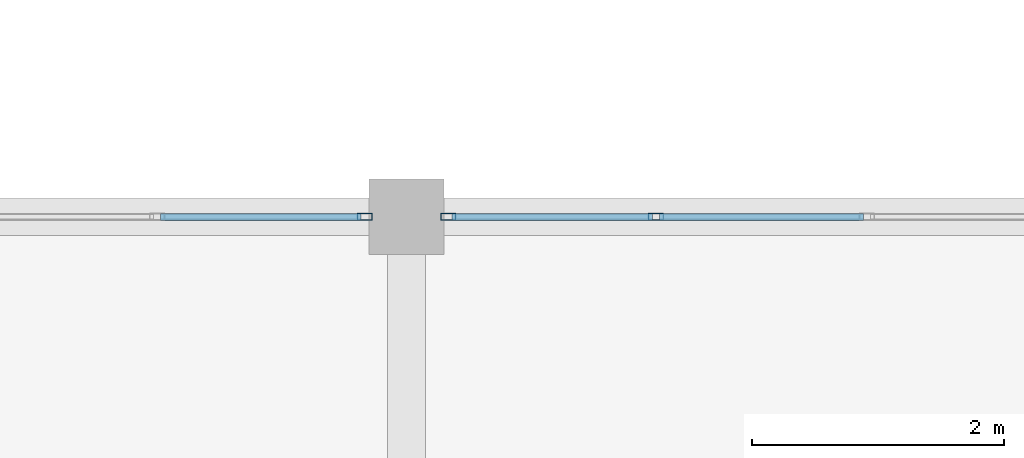
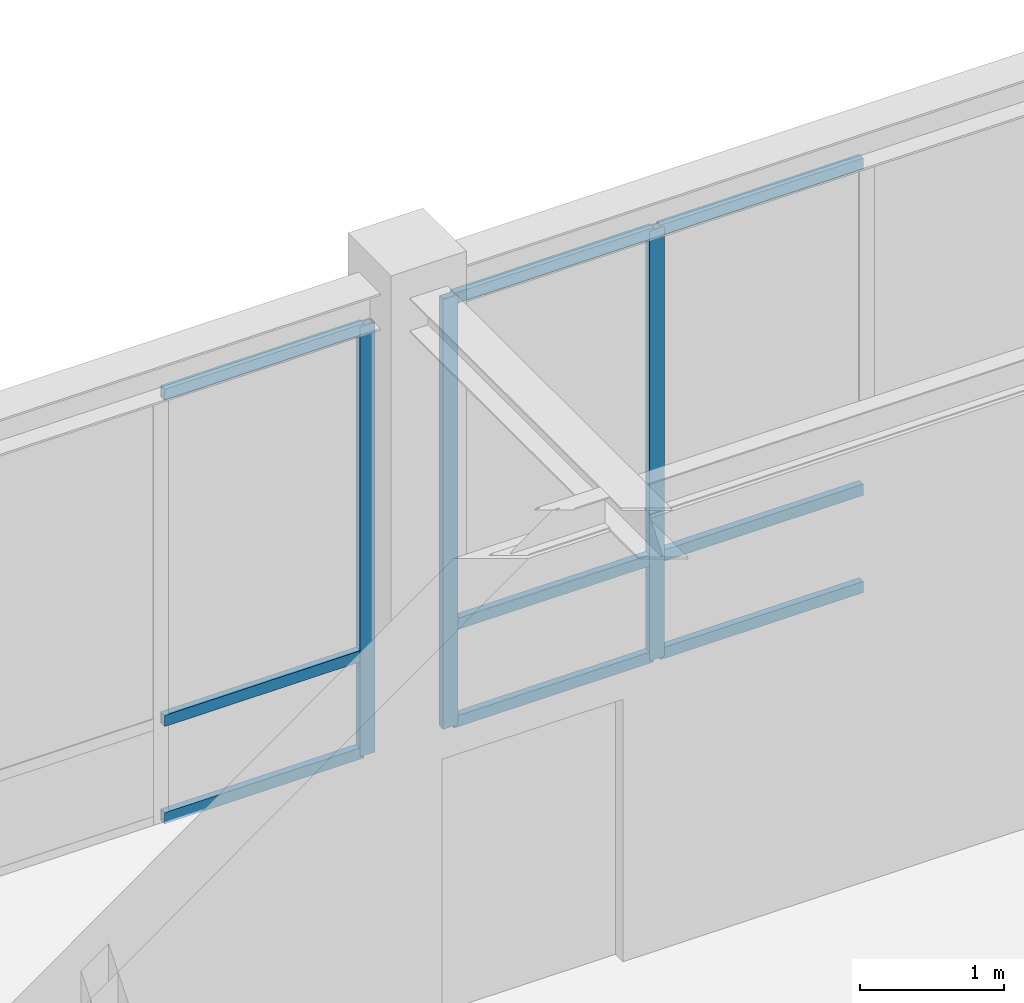
# One storey, part 47 of 130: 12 members, 2 elements without a shape of their own.
"""IFC4 building model written with IfcOpenShell, lengths in metres."""

import ifcopenshell
import ifcopenshell.guid

model = None  # the IFC model being written
_history = None  # IfcOwnerHistory: only IFC2X3 demands one
_inside = {}  # id of a spatial element -> (the spatial element, [elements in it])
_under = {}  # id of a project, library or spatial element -> (it, [spatial elements below it])
_declared = {}  # id of a project -> (the project, [libraries it declares])
_typed = {}  # id of a type object -> (the type object, [elements of that type])
_made_of = {}  # id of a material, layer set ... -> (it, [elements and type objects made of it])


def new_model(schema):
    """Start an empty IFC model of exactly this schema.

    Asked for "IFC4X3", IfcOpenShell would pick the latest addendum, in which some entities
    have other attributes; the version numbers below select the first issue.
    IFC2X3 requires an IfcOwnerHistory on every rooted entity: one is made here for all.
    """
    global model, _history
    if schema == "IFC4X3":
        model = ifcopenshell.file(schema_version=(4, 3, 0, 0))
    else:
        model = ifcopenshell.file(schema=schema)
    _inside.clear()
    _under.clear()
    _declared.clear()
    _typed.clear()
    _made_of.clear()
    _history = None
    if model.schema == "IFC2X3":
        org = make("IfcOrganization", Name="unknown")
        user = make(
            "IfcPersonAndOrganization",
            ThePerson=make("IfcPerson", FamilyName="unknown"),
            TheOrganization=org,
        )
        app = make(
            "IfcApplication",
            ApplicationDeveloper=org,
            Version="unknown",
            ApplicationFullName="unknown",
            ApplicationIdentifier="unknown",
        )
        _history = make(
            "IfcOwnerHistory",
            OwningUser=user,
            OwningApplication=app,
            ChangeAction="ADDED",
            CreationDate=0,
        )
    return model


def make(cls, **values):
    """One entity of the class cls with the attributes given. An attribute that is None is left unset."""
    return model.create_entity(
        cls, **{name: value for name, value in values.items() if value is not None}
    )


def rooted(cls, **values):
    """An entity with a GlobalId (a new one), such as an element, a storey or a relation."""
    return make(cls, GlobalId=ifcopenshell.guid.new(), OwnerHistory=_history, **values)


def si_unit(unit_type, name, prefix=None):
    """IfcSIUnit, for example si_unit("LENGTHUNIT", "METRE", prefix="MILLI")."""
    return make("IfcSIUnit", UnitType=unit_type, Prefix=prefix, Name=name)


def assignment(units):
    """IfcUnitAssignment: the units of a project."""
    return None if units is None else make("IfcUnitAssignment", Units=units)


def point(xyz):
    """IfcCartesianPoint."""
    return None if xyz is None else make("IfcCartesianPoint", Coordinates=xyz)


def direction(xyz):
    """IfcDirection."""
    return None if xyz is None else make("IfcDirection", DirectionRatios=xyz)


def frame(location, z_axis=None, x_axis=None):
    """IfcAxis2Placement3D, a coordinate frame: its origin and axes. An axis left out is left unset."""
    return make(
        "IfcAxis2Placement3D",
        Location=point(location),
        Axis=direction(z_axis),
        RefDirection=direction(x_axis),
    )


def frame_2d(location, x_axis=None):
    """IfcAxis2Placement2D, a coordinate frame in the plane: its origin and x axis."""
    return make(
        "IfcAxis2Placement2D", Location=point(location), RefDirection=direction(x_axis)
    )


def origin():
    """The frame at (0, 0, 0) with its axes left unset."""
    return frame((0.0, 0.0, 0.0))


def origin_2d():
    """The frame at (0, 0) in the plane with its x axis left unset."""
    return frame_2d((0.0, 0.0))


def place(relative_to, where):
    """IfcLocalPlacement: puts the frame where relative to a parent placement (None: the world)."""
    return make(
        "IfcLocalPlacement", PlacementRelTo=relative_to, RelativePlacement=where
    )


def context(
    kind, dimensions, precision=None, world=None, true_north=None, identifier=None
):
    """IfcGeometricRepresentationContext, for example the 3D "Model" context."""
    return make(
        "IfcGeometricRepresentationContext",
        ContextIdentifier=identifier,
        ContextType=kind,
        CoordinateSpaceDimension=dimensions,
        Precision=precision,
        WorldCoordinateSystem=world,
        TrueNorth=true_north,
    )


def subcontext(parent, identifier, kind, view, scale=None):
    """IfcGeometricRepresentationSubContext, for example "Body" below "Model"."""
    return make(
        "IfcGeometricRepresentationSubContext",
        ContextIdentifier=identifier,
        ContextType=kind,
        ParentContext=parent,
        TargetScale=scale,
        TargetView=view,
    )


def project(units=None, contexts=None):
    """IfcProject with its units and contexts."""
    return rooted(
        "IfcProject",
        Name="project",
        RepresentationContexts=contexts,
        UnitsInContext=assignment(units),
    )


def spatial(cls, under=None, at=None, **own):
    """A site, building, storey or space (cls), placed at a placement, below another one or the project."""
    s = rooted(cls, ObjectPlacement=at, **own)
    if under is not None:
        _under.setdefault(under.id(), (under, []))[1].append(s)
    return s


def profile(cls, at=None, kind="AREA", **sizes):
    """A parametric profile (cls). Its sizes go by their IFC names, for example OverallWidth=200.0."""
    return make(cls, ProfileType=kind, Position=at, **sizes)


def hollow_rectangle(**sizes):
    """IfcRectangleHollowProfileDef."""
    return profile("IfcRectangleHollowProfileDef", **sizes)


def extrude(swept, where, along, depth):
    """IfcExtrudedAreaSolid: the profile swept, set in the frame where, extruded along a direction by depth."""
    return make(
        "IfcExtrudedAreaSolid",
        SweptArea=swept,
        Position=where,
        ExtrudedDirection=direction(along),
        Depth=depth,
    )


def shape(context_of_items, identifier, shape_type, items):
    """IfcShapeRepresentation: the items that make up one representation, for example the "Body"."""
    return make(
        "IfcShapeRepresentation",
        ContextOfItems=context_of_items,
        RepresentationIdentifier=identifier,
        RepresentationType=shape_type,
        Items=items,
    )


def material(Name=None, Category=None):
    """IfcMaterial."""
    return make("IfcMaterial", Name=Name, Category=Category)


def material_profile(
    of_material, cross_section, Name=None, Category=None, Priority=None
):
    """IfcMaterialProfile: a cross section and its material."""
    return make(
        "IfcMaterialProfile",
        Name=Name,
        Material=of_material,
        Profile=cross_section,
        Priority=Priority,
        Category=Category,
    )


def profile_set(profiles, Name=None, composite=None):
    """IfcMaterialProfileSet."""
    return make(
        "IfcMaterialProfileSet",
        Name=Name,
        MaterialProfiles=profiles,
        CompositeProfile=composite,
    )


def made_of(thing, what):
    """Note that an element or type object is made of a material, layer set ...; save() writes the relation."""
    if what is not None:
        _made_of.setdefault(what.id(), (what, []))[1].append(thing)
    return thing


def type_object(cls, material=None, **own):
    """A type object (cls), such as IfcWallType, which elements share."""
    return made_of(rooted(cls, **own), material)


def element(
    cls,
    number,
    at=None,
    inside=None,
    cuts=None,
    type_object=None,
    material=None,
    context=None,
    identifier="Body",
    shape_type=None,
    held_by="IfcProductDefinitionShape",
    body=None,
    shapes=None,
    **own,
):
    """One element of the class cls, such as IfcWall. Its Tag is "e" and its number.

    at: its placement. inside: the storey or other place that contains it. cuts: it is an
    opening in that element (IfcRelVoidsElement). A single representation is given by context,
    identifier, shape_type and body (its items); several are given by shapes. held_by: the class
    of the entity that holds the representations. save() writes the other relations.
    """
    e = rooted(cls, Tag="e%d" % number, ObjectPlacement=at, **own)
    if body is not None:
        shapes = [shape(context, identifier, shape_type, body)]
    if shapes is not None:
        e.Representation = make(held_by, Representations=shapes)
    if inside is not None:
        _inside.setdefault(inside.id(), (inside, []))[1].append(e)
    if cuts is not None:
        rooted(
            "IfcRelVoidsElement", RelatingBuildingElement=cuts, RelatedOpeningElement=e
        )
    if type_object is not None:
        _typed.setdefault(type_object.id(), (type_object, []))[1].append(e)
    return made_of(e, material)


def aggregate(whole, parts):
    """IfcRelAggregates: a whole, such as a stair, and the parts it consists of."""
    return rooted("IfcRelAggregates", RelatingObject=whole, RelatedObjects=parts)


def save(model, path):
    """Write the relations noted so far, then the file.

    IfcRelAggregates (storeys below a building ...), IfcRelContainedInSpatialStructure (elements
    in a storey), IfcRelDefinesByType, IfcRelAssociatesMaterial and IfcRelDeclares: one each for
    every whole, place, type object, material and project.
    """
    for whole, parts in _under.values():
        aggregate(whole, parts)
    for where, things in _inside.values():
        rooted(
            "IfcRelContainedInSpatialStructure",
            RelatedElements=things,
            RelatingStructure=where,
        )
    for kind, things in _typed.values():
        rooted("IfcRelDefinesByType", RelatedObjects=things, RelatingType=kind)
    for what, things in _made_of.values():
        rooted("IfcRelAssociatesMaterial", RelatedObjects=things, RelatingMaterial=what)
    for by, libraries in _declared.values():
        rooted("IfcRelDeclares", RelatingContext=by, RelatedDefinitions=libraries)
    model.write(path)


model = new_model("IFC4")

# Units and contexts
model_context = context("Model", 3, precision=1e-05, world=origin(), true_north=direction((0.0, 1.0)))
body_context = subcontext(model_context, "Body", "Model", "MODEL_VIEW")
ifc_project = project(units=[si_unit("LENGTHUNIT", "METRE"), si_unit("AREAUNIT", "SQUARE_METRE"), si_unit("VOLUMEUNIT", "CUBIC_METRE"), si_unit("PLANEANGLEUNIT", "RADIAN"), si_unit("MASSUNIT", "GRAM", prefix="KILO")], contexts=[model_context])

# Site, building, storey
site_placement = place(None, origin())
site = spatial("IfcSite", under=ifc_project, at=site_placement, CompositionType="ELEMENT")
building_placement = place(site_placement, origin())
building = spatial("IfcBuilding", under=site, at=building_placement, Name="Lykobir Media Centre", CompositionType="ELEMENT")
storey_placement = place(building_placement, frame((0.0, 0.0, 19.199951171875)))
storey = spatial("IfcBuildingStorey", under=building, at=storey_placement, Name="L04", CompositionType="ELEMENT", Elevation=19.199951171875)

# Curtain wall, member
ifc_material = material(Name="Anodized Aluminium AW-6060", Category="aluminium")
curtain_wall_type = type_object("IfcCurtainWallType", Name="CW-COURT-B", PredefinedType="NOTDEFINED", material=ifc_material)
curtain_wall_1_placement = place(storey_placement, origin())
curtain_wall_1 = element("IfcCurtainWall", 1, at=curtain_wall_1_placement, inside=storey, type_object=curtain_wall_type, Name="Curtain wall CW2-L04-0169", PredefinedType="NOTDEFINED")
ifc_material_profile_1 = material_profile(ifc_material, hollow_rectangle(XDim=0.054931640625, YDim=0.1201171875, WallThickness=0.003173828125, at=origin_2d()), Name="ALU MULLION 55x120")
ifc_profile_set_1 = profile_set([ifc_material_profile_1], Name="Anodized Aluminium AW-6060")
member_type_1 = type_object("IfcMemberType", Name="CWM-120", PredefinedType="MULLION", material=ifc_profile_set_1)
member_1_placement = place(storey_placement, frame((107.66748046875, 18.0, 0.0), z_axis=(0.0, 0.0, 1.0), x_axis=(0.0, 1.0, 0.0)))
member_1 = element("IfcMember", 2, at=member_1_placement, type_object=member_type_1, Name="CW2-L04-0169 mullion 6", PredefinedType="MULLION", context=body_context, shape_type="SweptSolid", body=[
    extrude(hollow_rectangle(XDim=0.054931640625, YDim=0.1201171875, WallThickness=0.003173828125, at=origin_2d()), origin(), (0.0, 0.0, 1.0), 3.635009765625),
])

# Curtain wall, members
curtain_wall_2_placement = place(storey_placement, origin())
curtain_wall_2 = element("IfcCurtainWall", 3, at=curtain_wall_2_placement, inside=storey, type_object=curtain_wall_type, Name="Curtain wall CW2-L04-0170", PredefinedType="NOTDEFINED")
member_2_placement = place(storey_placement, frame((108.33251953125, 18.0, 0.0), z_axis=(0.0, 0.0, 1.0), x_axis=(0.0, 1.0, 0.0)))
member_2 = element("IfcMember", 4, at=member_2_placement, type_object=member_type_1, Name="CW2-L04-0170 mullion 1", PredefinedType="MULLION", context=body_context, shape_type="SweptSolid", body=[
    extrude(hollow_rectangle(XDim=0.054931640625, YDim=0.1201171875, WallThickness=0.003173828125, at=origin_2d()), origin(), (0.0, 0.0, 1.0), 3.635009765625),
])
member_3_placement = place(storey_placement, frame((109.98291015625, 18.0, 0.0), z_axis=(0.0, 0.0, 1.0), x_axis=(0.0, 1.0, 0.0)))
member_3 = element("IfcMember", 5, at=member_3_placement, type_object=member_type_1, Name="CW2-L04-0170 mullion 2", PredefinedType="MULLION", context=body_context, shape_type="SweptSolid", body=[
    extrude(hollow_rectangle(XDim=0.054931640625, YDim=0.1201171875, WallThickness=0.003173828125, at=origin_2d()), origin(), (0.0, 0.0, 1.0), 3.635009765625),
])

# Member
ifc_material_profile_2 = material_profile(ifc_material, hollow_rectangle(XDim=0.054931640625, YDim=0.094970703125, WallThickness=0.0029296875, at=origin_2d()), Name="ALU TRANSOM 55x95")
ifc_profile_set_2 = profile_set([ifc_material_profile_2], Name="Anodized Aluminium AW-6060")
member_type_2 = type_object("IfcMemberType", Name="CWT-095", PredefinedType="USERDEFINED", material=ifc_profile_set_2)
member_4_placement = place(storey_placement, frame((106.04443359375, 18.0, 0.027587890625), z_axis=(1.0, 0.0, 0.0), x_axis=(0.0, 1.0, 0.0)))
member_4 = element("IfcMember", 6, at=member_4_placement, type_object=member_type_2, Name="CW2-L04-0169 transom 5.1", ObjectType="TRANSOM", PredefinedType="USERDEFINED", context=body_context, shape_type="SweptSolid", body=[
    extrude(hollow_rectangle(XDim=0.054931640625, YDim=0.094970703125, WallThickness=0.0029296875, at=origin_2d()), origin(), (0.0, 0.0, 1.0), 1.595458984375),
])

member_5_placement = place(storey_placement, frame((106.04443359375, 18.0, 0.85009765625), z_axis=(1.0, 0.0, 0.0), x_axis=(0.0, 1.0, 0.0)))
member_5 = element("IfcMember", 7, at=member_5_placement, type_object=member_type_2, Name="CW2-L04-0169 transom 5.2", ObjectType="TRANSOM", PredefinedType="USERDEFINED", context=body_context, shape_type="SweptSolid", body=[
    extrude(hollow_rectangle(XDim=0.054931640625, YDim=0.094970703125, WallThickness=0.0029296875, at=origin_2d()), origin(), (0.0, 0.0, 1.0), 1.595458984375),
])

member_6_placement = place(storey_placement, frame((106.04443359375, 18.0, 3.607666015625), z_axis=(1.0, 0.0, 0.0), x_axis=(0.0, 1.0, 0.0)))
member_6 = element("IfcMember", 8, at=member_6_placement, type_object=member_type_2, Name="CW2-L04-0169 transom 5.3", ObjectType="TRANSOM", PredefinedType="USERDEFINED", context=body_context, shape_type="SweptSolid", body=[
    extrude(hollow_rectangle(XDim=0.054931640625, YDim=0.094970703125, WallThickness=0.0029296875, at=origin_2d()), origin(), (0.0, 0.0, 1.0), 1.595458984375),
])

aggregate(curtain_wall_1, [member_1, member_4, member_5, member_6])

member_7_placement = place(storey_placement, frame((108.360107421875, 18.0, 0.027587890625), z_axis=(1.0, 0.0, 0.0), x_axis=(0.0, 1.0, 0.0)))
member_7 = element("IfcMember", 9, at=member_7_placement, type_object=member_type_2, Name="CW2-L04-0170 transom 1.1", ObjectType="TRANSOM", PredefinedType="USERDEFINED", context=body_context, shape_type="SweptSolid", body=[
    extrude(hollow_rectangle(XDim=0.054931640625, YDim=0.094970703125, WallThickness=0.0029296875, at=origin_2d()), origin(), (0.0, 0.0, 1.0), 1.595458984375),
])

member_8_placement = place(storey_placement, frame((108.360107421875, 18.0, 0.85009765625), z_axis=(1.0, 0.0, 0.0), x_axis=(0.0, 1.0, 0.0)))
member_8 = element("IfcMember", 10, at=member_8_placement, type_object=member_type_2, Name="CW2-L04-0170 transom 1.2", ObjectType="TRANSOM", PredefinedType="USERDEFINED", context=body_context, shape_type="SweptSolid", body=[
    extrude(hollow_rectangle(XDim=0.054931640625, YDim=0.094970703125, WallThickness=0.0029296875, at=origin_2d()), origin(), (0.0, 0.0, 1.0), 1.595458984375),
])

member_9_placement = place(storey_placement, frame((108.360107421875, 18.0, 3.607666015625), z_axis=(1.0, 0.0, 0.0), x_axis=(0.0, 1.0, 0.0)))
member_9 = element("IfcMember", 11, at=member_9_placement, type_object=member_type_2, Name="CW2-L04-0170 transom 1.3", ObjectType="TRANSOM", PredefinedType="USERDEFINED", context=body_context, shape_type="SweptSolid", body=[
    extrude(hollow_rectangle(XDim=0.054931640625, YDim=0.094970703125, WallThickness=0.0029296875, at=origin_2d()), origin(), (0.0, 0.0, 1.0), 1.595458984375),
])

member_10_placement = place(storey_placement, frame((110.010498046875, 18.0, 0.027587890625), z_axis=(1.0, 0.0, 0.0), x_axis=(0.0, 1.0, 0.0)))
member_10 = element("IfcMember", 12, at=member_10_placement, type_object=member_type_2, Name="CW2-L04-0170 transom 2.1", ObjectType="TRANSOM", PredefinedType="USERDEFINED", context=body_context, shape_type="SweptSolid", body=[
    extrude(hollow_rectangle(XDim=0.054931640625, YDim=0.094970703125, WallThickness=0.0029296875, at=origin_2d()), origin(), (0.0, 0.0, 1.0), 1.623046875),
])

member_11_placement = place(storey_placement, frame((110.010498046875, 18.0, 0.85009765625), z_axis=(1.0, 0.0, 0.0), x_axis=(0.0, 1.0, 0.0)))
member_11 = element("IfcMember", 13, at=member_11_placement, type_object=member_type_2, Name="CW2-L04-0170 transom 2.2", ObjectType="TRANSOM", PredefinedType="USERDEFINED", context=body_context, shape_type="SweptSolid", body=[
    extrude(hollow_rectangle(XDim=0.054931640625, YDim=0.094970703125, WallThickness=0.0029296875, at=origin_2d()), origin(), (0.0, 0.0, 1.0), 1.623046875),
])

member_12_placement = place(storey_placement, frame((110.010498046875, 18.0, 3.607666015625), z_axis=(1.0, 0.0, 0.0), x_axis=(0.0, 1.0, 0.0)))
member_12 = element("IfcMember", 14, at=member_12_placement, type_object=member_type_2, Name="CW2-L04-0170 transom 2.3", ObjectType="TRANSOM", PredefinedType="USERDEFINED", context=body_context, shape_type="SweptSolid", body=[
    extrude(hollow_rectangle(XDim=0.054931640625, YDim=0.094970703125, WallThickness=0.0029296875, at=origin_2d()), origin(), (0.0, 0.0, 1.0), 1.623046875),
])

aggregate(curtain_wall_2, [member_2, member_3, member_7, member_8, member_9, member_10, member_11, member_12])

save(model, "model.ifc")
